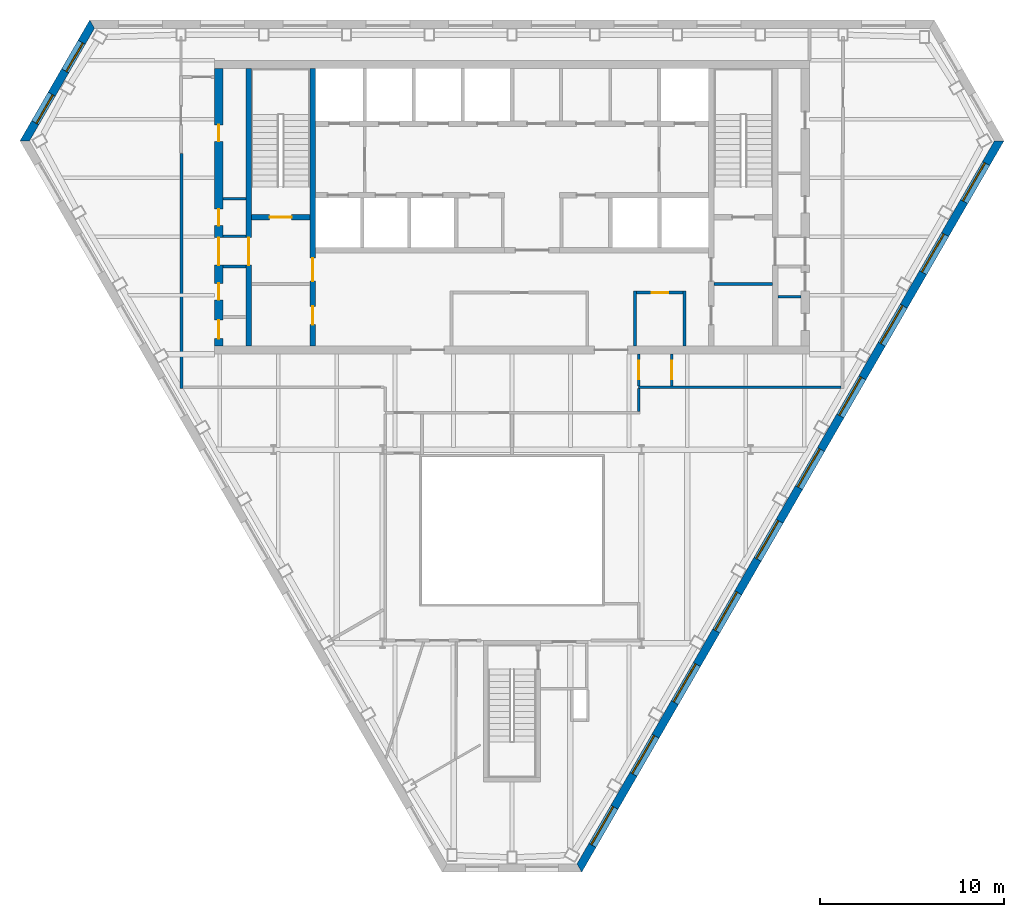
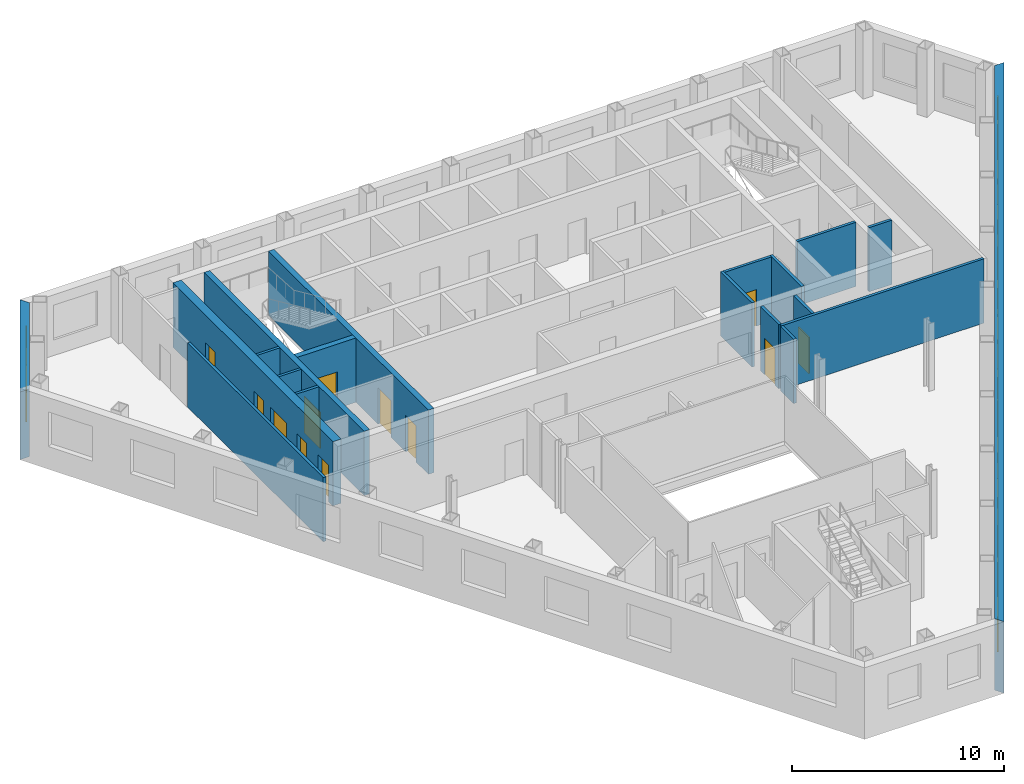
# One storey, part 5 of 10: 19 walls, 12 doors, 12 windows, 24 openings.
"""IFC4 building model written with IfcOpenShell, lengths in metres."""

from ifc_helpers import new_model, si_unit, direction, frame, frame_2d, origin, place, context, subcontext, project, spatial, polyline, rectangle, outline, extrude, material, layer, layer_set, type_object, element, fill, save


model = new_model("IFC4")

# Units and contexts
model_context = context("Model", 3, precision=1e-05, world=origin(), true_north=direction((0.0, 1.0)))
body_context = subcontext(model_context, "Body", "Model", "MODEL_VIEW")
ifc_project = project(units=[si_unit("LENGTHUNIT", "METRE"), si_unit("AREAUNIT", "SQUARE_METRE"), si_unit("VOLUMEUNIT", "CUBIC_METRE"), si_unit("PLANEANGLEUNIT", "RADIAN"), si_unit("MASSUNIT", "GRAM", prefix="KILO")], contexts=[model_context])

# Site, building, storey
site_placement = place(None, origin())
site = spatial("IfcSite", under=ifc_project, at=site_placement, CompositionType="ELEMENT")
building_placement = place(site_placement, origin())
building = spatial("IfcBuilding", under=site, at=building_placement, Name="Njiva Tower", CompositionType="ELEMENT")
storey_placement = place(building_placement, frame((0.0, 0.0, 200.4)))
storey = spatial("IfcBuildingStorey", under=building, at=storey_placement, Name="L44", CompositionType="ELEMENT", Elevation=200.4)

# Walls
ifc_material_1 = material(Name="Blockwork", Category="masonry")
ifc_layer_1 = layer(ifc_material_1, 0.15)
ifc_layer_set_1 = layer_set([ifc_layer_1], Name="Blockwork")
wall_type_1 = type_object("IfcWallType", Name="WT1 Compartment partition 150", PredefinedType="PARTITIONING", material=ifc_layer_set_1)
wall_1_placement = place(storey_placement, frame((11.0, 5.825, 0.0), z_axis=(0.0, 0.0, 1.0), x_axis=(1.0, 0.0, 0.0)))
element("IfcWall", 1, at=wall_1_placement, inside=storey, type_object=wall_type_1, Name="Room wall B", PredefinedType="PARTITIONING", context=body_context, shape_type="SweptSolid", body=[
    extrude(rectangle(XDim=3.2, YDim=0.15, at=frame_2d((1.6, 0.0))), origin(), (0.0, 0.0, 1.0), 3.7),
])
wall_2_placement = place(storey_placement, frame((14.5, 5.125, 0.0), z_axis=(0.0, 0.0, 1.0), x_axis=(1.0, 0.0, 0.0)))
element("IfcWall", 2, at=wall_2_placement, inside=storey, type_object=wall_type_1, Name="Partition strip E00", PredefinedType="PARTITIONING", context=body_context, shape_type="SweptSolid", body=[
    extrude(rectangle(XDim=1.25, YDim=0.15, at=frame_2d((0.625, 0.0))), origin(), (0.0, 0.0, 1.0), 3.7),
])
for number, where, z_axis, x_axis, name in (
    (3, (6.7, 2.45, 0.0), (0.0, 0.0, 1.0), (0.0, 1.0, 0.0), "Security office wall west"),
    (4, (9.4, 2.45, 0.0), (0.0, 0.0, 1.0), (0.0, 1.0, 0.0), "Security office wall east"),
):
    element("IfcWall", number, at=place(storey_placement, frame(where, z_axis=z_axis, x_axis=x_axis)), inside=storey, type_object=wall_type_1, Name=name, PredefinedType="PARTITIONING", context=body_context, shape_type="SweptSolid", body=[
        extrude(rectangle(XDim=2.975, YDim=0.15, at=frame_2d((1.4875, 0.0))), origin(), (0.0, 0.0, 1.0), 3.7),
    ])

# Wall, opening, door
wall_3_placement = place(storey_placement, frame((6.775, 5.35, 0.0), z_axis=(0.0, 0.0, 1.0), x_axis=(1.0, 0.0, 0.0)))
wall_3 = element("IfcWall", 5, at=wall_3_placement, inside=storey, type_object=wall_type_1, Name="Security office wall north", PredefinedType="PARTITIONING", context=body_context, shape_type="SweptSolid", body=[
    extrude(rectangle(XDim=2.55, YDim=0.15, at=frame_2d((1.275, 0.0))), origin(), (0.0, 0.0, 1.0), 3.7),
])
opening_1_placement = place(wall_3_placement, frame((0.825, 0.0, 0.0)))
opening_1 = element("IfcOpeningElement", 6, at=opening_1_placement, cuts=wall_3, Name="Opening S14-D935", PredefinedType="OPENING", context=body_context, shape_type="SweptSolid", body=[
    extrude(rectangle(XDim=0.9, YDim=2.1, at=frame_2d((0.45, 1.05))), frame((0.0, 0.085, 0.0), z_axis=(0.0, -1.0, 0.0), x_axis=(1.0, 0.0, 0.0)), (0.0, 0.0, 1.0), 0.17),
])
ifc_material_2 = material(Name="Steel fire door, painted", Category="steel")
door_type_1 = type_object("IfcDoorType", Name="D6 Fire-rated door 900x2100", OperationType="SINGLE_SWING_LEFT", PredefinedType="DOOR", material=ifc_material_2)
door_1_placement = place(opening_1_placement, origin())
door_1 = element("IfcDoor", 7, at=door_1_placement, inside=storey, type_object=door_type_1, Name="Security office door", OperationType="SINGLE_SWING_RIGHT", OverallHeight=2.1, OverallWidth=0.9, PredefinedType="DOOR", context=body_context, shape_type="SweptSolid", body=[
    extrude(rectangle(XDim=0.9, YDim=2.1, at=frame_2d((0.45, 1.05))), frame((0.0, 0.025, 0.0), z_axis=(0.0, -1.0, 0.0), x_axis=(1.0, 0.0, 0.0)), (0.0, 0.0, 1.0), 0.05),
])
fill(opening_1, door_1)

# Wall, openings, doors
ifc_material_3 = material(Name="Concrete C40/50", Category="concrete")
ifc_layer_2 = layer(ifc_material_3, 0.3)
ifc_layer_set_2 = layer_set([ifc_layer_2], Name="Concrete C40/50")
wall_type_2 = type_object("IfcWallType", Name="WT10 Stair enclosure wall 300", PredefinedType="SHEAR", material=ifc_layer_set_2)
wall_4_placement = place(storey_placement, frame((-10.85, 2.45, 0.0), z_axis=(0.0, 0.0, 1.0), x_axis=(0.0, 1.0, 0.0)))
wall_4 = element("IfcWall", 8, at=wall_4_placement, inside=storey, type_object=wall_type_2, Name="Stair wall west inner", PredefinedType="SHEAR", context=body_context, shape_type="SweptSolid", body=[
    extrude(rectangle(XDim=15.1, YDim=0.3, at=frame_2d((7.55, 0.0))), origin(), (0.0, 0.0, 1.0), 3.7),
])
opening_2_placement = place(wall_4_placement, frame((3.525, 0.0, 0.0)))
opening_2 = element("IfcOpeningElement", 9, at=opening_2_placement, cuts=wall_4, Name="Opening S14-D916", PredefinedType="OPENING", context=body_context, shape_type="SweptSolid", body=[
    extrude(rectangle(XDim=1.25, YDim=2.1, at=frame_2d((0.625, 1.05))), frame((0.0, 0.16, 0.0), z_axis=(0.0, -1.0, 0.0), x_axis=(1.0, 0.0, 0.0)), (0.0, 0.0, 1.0), 0.32),
])
opening_3_placement = place(wall_4_placement, frame((1.15, 0.0, 0.0)))
opening_3 = element("IfcOpeningElement", 10, at=opening_3_placement, cuts=wall_4, Name="Opening S14-D917", PredefinedType="OPENING", context=body_context, shape_type="SweptSolid", body=[
    extrude(rectangle(XDim=1.0, YDim=2.1, at=frame_2d((0.5, 1.05))), frame((0.0, 0.16, 0.0), z_axis=(0.0, -1.0, 0.0), x_axis=(1.0, 0.0, 0.0)), (0.0, 0.0, 1.0), 0.32),
])
ifc_material_4 = material(Name="Steel door, painted", Category="steel")
door_type_2 = type_object("IfcDoorType", Name="D5 Steel door 1000x2100", OperationType="SINGLE_SWING_LEFT", PredefinedType="DOOR", material=ifc_material_4)
door_2_placement = place(opening_3_placement, origin())
door_2 = element("IfcDoor", 11, at=door_2_placement, inside=storey, type_object=door_type_2, Name="Quiet room door", OperationType="SINGLE_SWING_RIGHT", OverallHeight=2.1, OverallWidth=1.0, PredefinedType="DOOR", context=body_context, shape_type="SweptSolid", body=[
    extrude(rectangle(XDim=1.0, YDim=2.1, at=frame_2d((0.5, 1.05))), frame((0.0, 0.025, 0.0), z_axis=(0.0, -1.0, 0.0), x_axis=(1.0, 0.0, 0.0)), (0.0, 0.0, 1.0), 0.05),
])
fill(opening_3, door_2)
ifc_material_5 = material(Name="Glazed steel fire door", Category="steel")
door_type_3 = type_object("IfcDoorType", Name="D8 Vestibule corridor door 1250x2100 glazed", OperationType="SINGLE_SWING_LEFT", PredefinedType="DOOR", material=ifc_material_5)
door_3_placement = place(opening_2_placement, origin())
door_3 = element("IfcDoor", 12, at=door_3_placement, inside=storey, type_object=door_type_3, Name="Stair vestibule corridor door", OperationType="SINGLE_SWING_LEFT", OverallHeight=2.1, OverallWidth=1.25, PredefinedType="DOOR", context=body_context, shape_type="SweptSolid", body=[
    extrude(rectangle(XDim=1.25, YDim=2.1, at=frame_2d((0.625, 1.05))), frame((0.0, 0.025, 0.0), z_axis=(0.0, -1.0, 0.0), x_axis=(1.0, 0.0, 0.0)), (0.0, 0.0, 1.0), 0.05),
])
fill(opening_2, door_3)

# Wall, opening, door
wall_5_placement = place(storey_placement, frame((-14.35, 2.45, 0.0), z_axis=(0.0, 0.0, 1.0), x_axis=(0.0, 1.0, 0.0)))
wall_5 = element("IfcWall", 13, at=wall_5_placement, inside=storey, type_object=wall_type_2, Name="Stair wall west outer", PredefinedType="SHEAR", context=body_context, shape_type="SweptSolid", body=[
    extrude(rectangle(XDim=15.1, YDim=0.3, at=frame_2d((7.55, 0.0))), origin(), (0.0, 0.0, 1.0), 3.7),
])
opening_4_placement = place(wall_5_placement, frame((4.4, 0.0, 0.0)))
opening_4 = element("IfcOpeningElement", 14, at=opening_4_placement, cuts=wall_5, Name="Opening S14-D922", PredefinedType="OPENING", context=body_context, shape_type="SweptSolid", body=[
    extrude(rectangle(XDim=1.5, YDim=2.1, at=frame_2d((0.75, 1.05))), frame((0.0, 0.16, 0.0), z_axis=(0.0, -1.0, 0.0), x_axis=(1.0, 0.0, 0.0)), (0.0, 0.0, 1.0), 0.32),
])
door_type_4 = type_object("IfcDoorType", Name="D10 Exit door double 1500x2100 glazed", OperationType="DOUBLE_DOOR_SINGLE_SWING", PredefinedType="DOOR", material=ifc_material_5)
door_4_placement = place(opening_4_placement, origin())
door_4 = element("IfcDoor", 15, at=door_4_placement, inside=storey, type_object=door_type_4, Name="Stair A passage door", OperationType="DOUBLE_DOOR_SINGLE_SWING", OverallHeight=2.1, OverallWidth=1.5, PredefinedType="DOOR", context=body_context, shape_type="SweptSolid", body=[
    extrude(rectangle(XDim=1.5, YDim=2.1, at=frame_2d((0.75, 1.05))), frame((0.0, 0.025, 0.0), z_axis=(0.0, -1.0, 0.0), x_axis=(1.0, 0.0, 0.0)), (0.0, 0.0, 1.0), 0.05),
])
fill(opening_4, door_4)

wall_6_placement = place(storey_placement, frame((-14.2, 9.45, 0.0), z_axis=(0.0, 0.0, 1.0), x_axis=(1.0, 0.0, 0.0)))
wall_6 = element("IfcWall", 16, at=wall_6_placement, inside=storey, type_object=wall_type_2, Name="Stair A south wall", PredefinedType="SHEAR", context=body_context, shape_type="SweptSolid", body=[
    extrude(rectangle(XDim=3.2, YDim=0.3, at=frame_2d((1.6, 0.0))), origin(), (0.0, 0.0, 1.0), 3.7),
])
opening_5_placement = place(wall_6_placement, frame((1.0, 0.0, 0.0)))
opening_5 = element("IfcOpeningElement", 17, at=opening_5_placement, cuts=wall_6, Name="Opening S14-D915", PredefinedType="OPENING", context=body_context, shape_type="SweptSolid", body=[
    extrude(rectangle(XDim=1.2, YDim=2.1, at=frame_2d((0.6, 1.05))), frame((0.0, 0.16, 0.0), z_axis=(0.0, -1.0, 0.0), x_axis=(1.0, 0.0, 0.0)), (0.0, 0.0, 1.0), 0.32),
])
door_type_5 = type_object("IfcDoorType", Name="D7 Stair vestibule door 1200x2100 glazed", OperationType="SINGLE_SWING_LEFT", PredefinedType="DOOR", material=ifc_material_5)
door_5_placement = place(opening_5_placement, origin())
door_5 = element("IfcDoor", 18, at=door_5_placement, inside=storey, type_object=door_type_5, Name="Stair A door", OperationType="SINGLE_SWING_LEFT", OverallHeight=2.1, OverallWidth=1.2, PredefinedType="DOOR", context=body_context, shape_type="SweptSolid", body=[
    extrude(rectangle(XDim=1.2, YDim=2.1, at=frame_2d((0.6, 1.05))), frame((0.0, 0.025, 0.0), z_axis=(0.0, -1.0, 0.0), x_axis=(1.0, 0.0, 0.0)), (0.0, 0.0, 1.0), 0.05),
])
fill(opening_5, door_5)

# Wall, openings, doors
ifc_material_6 = material(Name="Concrete C60/75", Category="concrete")
ifc_layer_3 = layer(ifc_material_6, 0.45)
ifc_layer_set_3 = layer_set([ifc_layer_3], Name="Concrete C60/75")
wall_type_3 = type_object("IfcWallType", Name="WT12 Core wall 450", PredefinedType="SHEAR", material=ifc_layer_set_3)
wall_7_placement = place(storey_placement, frame((-15.975, 2.45, 0.0), z_axis=(0.0, 0.0, 1.0), x_axis=(0.0, 1.0, 0.0)))
wall_7 = element("IfcWall", 19, at=wall_7_placement, inside=storey, type_object=wall_type_3, Name="Core wall west", PredefinedType="SHEAR", context=body_context, shape_type="SweptSolid", body=[
    extrude(rectangle(XDim=15.1, YDim=0.45, at=frame_2d((7.55, 0.0))), origin(), (0.0, 0.0, 1.0), 3.7),
])
opening_6_placement = place(wall_7_placement, frame((4.4, 0.0, 0.0)))
opening_6 = element("IfcOpeningElement", 20, at=opening_6_placement, cuts=wall_7, Name="Opening S14-D923", PredefinedType="OPENING", context=body_context, shape_type="SweptSolid", body=[
    extrude(rectangle(XDim=1.5, YDim=2.1, at=frame_2d((0.75, 1.05))), frame((0.0, 0.235, 0.0), z_axis=(0.0, -1.0, 0.0), x_axis=(1.0, 0.0, 0.0)), (0.0, 0.0, 1.0), 0.47),
])
opening_7_placement = place(wall_7_placement, frame((0.4, 0.0, 0.0)))
opening_7 = element("IfcOpeningElement", 21, at=opening_7_placement, cuts=wall_7, Name="Opening S14-D924", PredefinedType="OPENING", context=body_context, shape_type="SweptSolid", body=[
    extrude(rectangle(XDim=1.0, YDim=2.1, at=frame_2d((0.5, 1.05))), frame((0.0, 0.235, 0.0), z_axis=(0.0, -1.0, 0.0), x_axis=(1.0, 0.0, 0.0)), (0.0, 0.0, 1.0), 0.47),
])
opening_8_placement = place(wall_7_placement, frame((2.5, 0.0, 0.0)))
opening_8 = element("IfcOpeningElement", 22, at=opening_8_placement, cuts=wall_7, Name="Opening S14-D925", PredefinedType="OPENING", context=body_context, shape_type="SweptSolid", body=[
    extrude(rectangle(XDim=0.9, YDim=2.1, at=frame_2d((0.45, 1.05))), frame((0.0, 0.235, 0.0), z_axis=(0.0, -1.0, 0.0), x_axis=(1.0, 0.0, 0.0)), (0.0, 0.0, 1.0), 0.47),
])
opening_9_placement = place(wall_7_placement, frame((6.5439, 0.0, 0.0)))
opening_9 = element("IfcOpeningElement", 23, at=opening_9_placement, cuts=wall_7, Name="Opening S14-D926", PredefinedType="OPENING", context=body_context, shape_type="SweptSolid", body=[
    extrude(rectangle(XDim=0.9, YDim=2.1, at=frame_2d((0.45, 1.05))), frame((0.0, 0.235, 0.0), z_axis=(0.0, -1.0, 0.0), x_axis=(1.0, 0.0, 0.0)), (0.0, 0.0, 1.0), 0.47),
])
opening_10_placement = place(wall_7_placement, frame((11.1439, 0.0, 0.0)))
opening_10 = element("IfcOpeningElement", 24, at=opening_10_placement, cuts=wall_7, Name="Opening S14-D927", PredefinedType="OPENING", context=body_context, shape_type="SweptSolid", body=[
    extrude(rectangle(XDim=0.9, YDim=2.1, at=frame_2d((0.45, 1.05))), frame((0.0, 0.235, 0.0), z_axis=(0.0, -1.0, 0.0), x_axis=(1.0, 0.0, 0.0)), (0.0, 0.0, 1.0), 0.47),
])
door_6_placement = place(opening_6_placement, origin())
door_6 = element("IfcDoor", 25, at=door_6_placement, inside=storey, type_object=door_type_4, Name="Stair A corridor door", OperationType="DOUBLE_DOOR_SINGLE_SWING", OverallHeight=2.1, OverallWidth=1.5, PredefinedType="DOOR", context=body_context, shape_type="SweptSolid", body=[
    extrude(rectangle(XDim=1.5, YDim=2.1, at=frame_2d((0.75, 1.05))), frame((0.0, 0.025, 0.0), z_axis=(0.0, -1.0, 0.0), x_axis=(1.0, 0.0, 0.0)), (0.0, 0.0, 1.0), 0.05),
])
fill(opening_6, door_6)
door_type_6 = type_object("IfcDoorType", Name="D4 Riser door 900x2100", OperationType="SINGLE_SWING_LEFT", PredefinedType="DOOR", material=ifc_material_4)
door_7_placement = place(opening_9_placement, origin())
door_7 = element("IfcDoor", 26, at=door_7_placement, inside=storey, type_object=door_type_6, Name="Cable riser door", OperationType="SINGLE_SWING_RIGHT", OverallHeight=2.1, OverallWidth=0.9, PredefinedType="DOOR", context=body_context, shape_type="SweptSolid", body=[
    extrude(rectangle(XDim=0.9, YDim=2.1, at=frame_2d((0.45, 1.05))), frame((0.0, 0.025, 0.0), z_axis=(0.0, -1.0, 0.0), x_axis=(1.0, 0.0, 0.0)), (0.0, 0.0, 1.0), 0.05),
])
fill(opening_9, door_7)
door_8_placement = place(opening_7_placement, origin())
door_8 = element("IfcDoor", 27, at=door_8_placement, inside=storey, type_object=door_type_2, Name="Electrical room door", OperationType="SINGLE_SWING_RIGHT", OverallHeight=2.1, OverallWidth=1.0, PredefinedType="DOOR", context=body_context, shape_type="SweptSolid", body=[
    extrude(rectangle(XDim=1.0, YDim=2.1, at=frame_2d((0.5, 1.05))), frame((0.0, 0.025, 0.0), z_axis=(0.0, -1.0, 0.0), x_axis=(1.0, 0.0, 0.0)), (0.0, 0.0, 1.0), 0.05),
])
fill(opening_7, door_8)
door_9_placement = place(opening_8_placement, origin())
door_9 = element("IfcDoor", 28, at=door_9_placement, inside=storey, type_object=door_type_1, Name="Cable store door", OperationType="SINGLE_SWING_RIGHT", OverallHeight=2.1, OverallWidth=0.9, PredefinedType="DOOR", context=body_context, shape_type="SweptSolid", body=[
    extrude(rectangle(XDim=0.9, YDim=2.1, at=frame_2d((0.45, 1.05))), frame((0.0, 0.025, 0.0), z_axis=(0.0, -1.0, 0.0), x_axis=(1.0, 0.0, 0.0)), (0.0, 0.0, 1.0), 0.05),
])
fill(opening_8, door_9)
door_10_placement = place(opening_10_placement, origin())
door_10 = element("IfcDoor", 29, at=door_10_placement, inside=storey, type_object=door_type_1, Name="Cable store door", OperationType="SINGLE_SWING_LEFT", OverallHeight=2.1, OverallWidth=0.9, PredefinedType="DOOR", context=body_context, shape_type="SweptSolid", body=[
    extrude(rectangle(XDim=0.9, YDim=2.1, at=frame_2d((0.45, 1.05))), frame((0.0, 0.025, 0.0), z_axis=(0.0, -1.0, 0.0), x_axis=(1.0, 0.0, 0.0)), (0.0, 0.0, 1.0), 0.05),
])
fill(opening_10, door_10)

# Walls
ifc_material_7 = material(Name="Gypsum board on steel studs", Category="gypsum")
ifc_layer_4 = layer(ifc_material_7, 0.15)
ifc_layer_set_4 = layer_set([ifc_layer_4], Name="Gypsum board on steel studs")
wall_type_4 = type_object("IfcWallType", Name="WT21 Compartment wall 150", PredefinedType="PARTITIONING", material=ifc_layer_set_4)
wall_8_placement = place(storey_placement, frame((-18.0, 0.125, 0.0), z_axis=(0.0, 0.0, 1.0), x_axis=(0.0, 1.0, 0.0)))
element("IfcWall", 30, at=wall_8_placement, inside=storey, type_object=wall_type_4, Name="Partition S14-P003", PredefinedType="PARTITIONING", context=body_context, shape_type="SweptSolid", body=[
    extrude(rectangle(XDim=12.8, YDim=0.15, at=frame_2d((6.4, 0.0))), origin(), (0.0, 0.0, 1.0), 3.7),
])
wall_9_placement = place(storey_placement, frame((6.9, -1.125, 0.0), z_axis=(0.0, 0.0, 1.0), x_axis=(0.0, 1.0, 0.0)))
element("IfcWall", 31, at=wall_9_placement, inside=storey, type_object=wall_type_4, Name="Partition S14-P021", PredefinedType="PARTITIONING", context=body_context, shape_type="SweptSolid", body=[
    extrude(rectangle(XDim=1.25, YDim=0.15, at=frame_2d((0.625, 0.0))), origin(), (0.0, 0.0, 1.0), 3.7),
])
wall_10_placement = place(storey_placement, frame((6.9, 0.2, 0.0), z_axis=(0.0, 0.0, 1.0), x_axis=(1.0, 0.0, 0.0)))
element("IfcWall", 32, at=wall_10_placement, inside=storey, type_object=wall_type_4, Name="Partition S14-P022", PredefinedType="PARTITIONING", context=body_context, shape_type="SweptSolid", body=[
    extrude(rectangle(XDim=11.025, YDim=0.15, at=frame_2d((5.5125, 0.0))), origin(), (0.0, 0.0, 1.0), 3.7),
])

# Wall, opening, door
wall_11_placement = place(storey_placement, frame((6.9, 0.275, 0.0), z_axis=(0.0, 0.0, 1.0), x_axis=(0.0, 1.0, 0.0)))
wall_11 = element("IfcWall", 33, at=wall_11_placement, inside=storey, type_object=wall_type_4, Name="Partition S14-P023", PredefinedType="PARTITIONING", context=body_context, shape_type="SweptSolid", body=[
    extrude(rectangle(XDim=1.725, YDim=0.15, at=frame_2d((0.8625, 0.0))), origin(), (0.0, 0.0, 1.0), 3.7),
])
opening_11_placement = place(wall_11_placement, frame((0.362, 0.0, 0.0)))
opening_11 = element("IfcOpeningElement", 34, at=opening_11_placement, cuts=wall_11, Name="Opening S14-D010", PredefinedType="OPENING", context=body_context, shape_type="SweptSolid", body=[
    extrude(rectangle(XDim=1.0, YDim=2.1, at=frame_2d((0.5, 1.05))), frame((0.0, 0.085, 0.0), z_axis=(0.0, -1.0, 0.0), x_axis=(1.0, 0.0, 0.0)), (0.0, 0.0, 1.0), 0.17),
])
ifc_material_8 = material(Name="Steel fire door set", Category="steel")
door_type_7 = type_object("IfcDoorType", Name="D37 Fire door 1000x2100", OperationType="SINGLE_SWING_LEFT", PredefinedType="DOOR", material=ifc_material_8)
door_11_placement = place(opening_11_placement, origin())
door_11 = element("IfcDoor", 35, at=door_11_placement, inside=storey, type_object=door_type_7, Name="Door S14-D010", OperationType="SINGLE_SWING_LEFT", OverallHeight=2.1, OverallWidth=1.0, PredefinedType="DOOR", context=body_context, shape_type="SweptSolid", body=[
    extrude(rectangle(XDim=1.0, YDim=2.1, at=frame_2d((0.5, 1.05))), frame((0.0, 0.025, 0.0), z_axis=(0.0, -1.0, 0.0), x_axis=(1.0, 0.0, 0.0)), (0.0, 0.0, 1.0), 0.05),
])
fill(opening_11, door_11)

wall_12_placement = place(storey_placement, frame((8.7, 0.275, 0.0), z_axis=(0.0, 0.0, 1.0), x_axis=(0.0, 1.0, 0.0)))
wall_12 = element("IfcWall", 36, at=wall_12_placement, inside=storey, type_object=wall_type_4, Name="Partition S14-P024", PredefinedType="PARTITIONING", context=body_context, shape_type="SweptSolid", body=[
    extrude(rectangle(XDim=1.725, YDim=0.15, at=frame_2d((0.8625, 0.0))), origin(), (0.0, 0.0, 1.0), 3.7),
])
opening_12_placement = place(wall_12_placement, frame((0.363, 0.0, 0.0)))
opening_12 = element("IfcOpeningElement", 37, at=opening_12_placement, cuts=wall_12, Name="Opening S14-D011", PredefinedType="OPENING", context=body_context, shape_type="SweptSolid", body=[
    extrude(rectangle(XDim=1.0, YDim=2.1, at=frame_2d((0.5, 1.05))), frame((0.0, 0.085, 0.0), z_axis=(0.0, -1.0, 0.0), x_axis=(1.0, 0.0, 0.0)), (0.0, 0.0, 1.0), 0.17),
])
door_12_placement = place(opening_12_placement, origin())
door_12 = element("IfcDoor", 38, at=door_12_placement, inside=storey, type_object=door_type_7, Name="Door S14-D011", OperationType="SINGLE_SWING_RIGHT", OverallHeight=2.1, OverallWidth=1.0, PredefinedType="DOOR", context=body_context, shape_type="SweptSolid", body=[
    extrude(rectangle(XDim=1.0, YDim=2.1, at=frame_2d((0.5, 1.05))), frame((0.0, 0.025, 0.0), z_axis=(0.0, -1.0, 0.0), x_axis=(1.0, 0.0, 0.0)), (0.0, 0.0, 1.0), 0.05),
])
fill(opening_12, door_12)

# Walls
ifc_layer_5 = layer(ifc_material_1, 0.15)
ifc_layer_set_5 = layer_set([ifc_layer_5], Name="Blockwork")
wall_type_5 = type_object("IfcWallType", Name="WT3 Riser partition 150", PredefinedType="PARTITIONING", material=ifc_layer_set_5)
wall_13_placement = place(storey_placement, frame((-15.75, 10.4629, 0.0), z_axis=(0.0, 0.0, 1.0), x_axis=(1.0, 0.0, 0.0)))
element("IfcWall", 39, at=wall_13_placement, inside=storey, type_object=wall_type_5, Name="Partition strip W10", PredefinedType="PARTITIONING", context=body_context, shape_type="SweptSolid", body=[
    extrude(rectangle(XDim=1.25, YDim=0.15, at=frame_2d((0.625, 0.0))), origin(), (0.0, 0.0, 1.0), 3.7),
])
ifc_layer_6 = layer(ifc_material_1, 0.15)
ifc_layer_set_6 = layer_set([ifc_layer_6], Name="Blockwork")
wall_type_6 = type_object("IfcWallType", Name="WT4 Stair partition 150", PredefinedType="PARTITIONING", material=ifc_layer_set_6)
for number, where, z_axis, x_axis, name in (
    (40, (-15.75, 6.775, 0.0), (0.0, 0.0, 1.0), (1.0, 0.0, 0.0), "Stair A exit passage wall south"),
    (41, (-15.75, 8.425, 0.0), (0.0, 0.0, 1.0), (1.0, 0.0, 0.0), "Stair A exit passage wall north"),
):
    element("IfcWall", number, at=place(storey_placement, frame(where, z_axis=z_axis, x_axis=x_axis)), inside=storey, type_object=wall_type_6, Name=name, PredefinedType="PARTITIONING", context=body_context, shape_type="SweptSolid", body=[
        extrude(rectangle(XDim=1.25, YDim=0.15, at=frame_2d((0.625, 0.0))), origin(), (0.0, 0.0, 1.0), 3.7),
    ])

# Wall, openings, windows
ifc_material_9 = material(Name="Brick masonry", Category="masonry")
ifc_layer_7 = layer(ifc_material_9, 0.45)
ifc_layer_set_7 = layer_set([ifc_layer_7], Name="Brick masonry")
wall_type_7 = type_object("IfcWallType", Name="WT90 Brick pier and spandrel wall 450", PredefinedType="SOLIDWALL", material=ifc_layer_set_7)
wall_14_placement = place(storey_placement, frame((3.6701, -25.994, -0.4), z_axis=(0.0, 0.0, 1.0), x_axis=(0.499999764979, 0.866025539474, 0.0)))
wall_14 = element("IfcWall", 42, at=wall_14_placement, inside=storey, type_object=wall_type_7, Name="Facade wall SE", PredefinedType="SOLIDWALL", context=body_context, shape_type="SweptSolid", body=[
    extrude(outline(polyline([(-0.1299, -0.225), (45.8701, -0.225), (45.6103, 0.225), (0.1299, 0.225), (-0.1299, -0.225)])), origin(), (0.0, 0.0, 1.0), 4.12),
])
opening_13_placement = place(wall_14_placement, frame((1.4242, 0.0, 1.3)))
opening_13 = element("IfcOpeningElement", 43, at=opening_13_placement, cuts=wall_14, Name="Opening S14-W23", PredefinedType="OPENING", context=body_context, shape_type="SweptSolid", body=[
    extrude(rectangle(XDim=2.4, YDim=2.0, at=frame_2d((1.2, 1.0))), frame((0.0, 0.235, 0.0), z_axis=(0.0, -1.0, 0.0), x_axis=(1.0, 0.0, 0.0)), (0.0, 0.0, 1.0), 0.47),
])
opening_14_placement = place(wall_14_placement, frame((5.8934, 0.0, 1.3)))
opening_14 = element("IfcOpeningElement", 44, at=opening_14_placement, cuts=wall_14, Name="Opening S14-W24", PredefinedType="OPENING", context=body_context, shape_type="SweptSolid", body=[
    extrude(rectangle(XDim=2.4, YDim=2.0, at=frame_2d((1.2, 1.0))), frame((0.0, 0.235, 0.0), z_axis=(0.0, -1.0, 0.0), x_axis=(1.0, 0.0, 0.0)), (0.0, 0.0, 1.0), 0.47),
])
opening_15_placement = place(wall_14_placement, frame((10.401, 0.0, 1.3)))
opening_15 = element("IfcOpeningElement", 45, at=opening_15_placement, cuts=wall_14, Name="Opening S14-W25", PredefinedType="OPENING", context=body_context, shape_type="SweptSolid", body=[
    extrude(rectangle(XDim=2.4, YDim=2.0, at=frame_2d((1.2, 1.0))), frame((0.0, 0.235, 0.0), z_axis=(0.0, -1.0, 0.0), x_axis=(1.0, 0.0, 0.0)), (0.0, 0.0, 1.0), 0.47),
])
opening_16_placement = place(wall_14_placement, frame((14.9087, 0.0, 1.3)))
opening_16 = element("IfcOpeningElement", 46, at=opening_16_placement, cuts=wall_14, Name="Opening S14-W26", PredefinedType="OPENING", context=body_context, shape_type="SweptSolid", body=[
    extrude(rectangle(XDim=2.4, YDim=2.0, at=frame_2d((1.2, 1.0))), frame((0.0, 0.235, 0.0), z_axis=(0.0, -1.0, 0.0), x_axis=(1.0, 0.0, 0.0)), (0.0, 0.0, 1.0), 0.47),
])
opening_17_placement = place(wall_14_placement, frame((19.4163, 0.0, 1.3)))
opening_17 = element("IfcOpeningElement", 47, at=opening_17_placement, cuts=wall_14, Name="Opening S14-W27", PredefinedType="OPENING", context=body_context, shape_type="SweptSolid", body=[
    extrude(rectangle(XDim=2.4, YDim=2.0, at=frame_2d((1.2, 1.0))), frame((0.0, 0.235, 0.0), z_axis=(0.0, -1.0, 0.0), x_axis=(1.0, 0.0, 0.0)), (0.0, 0.0, 1.0), 0.47),
])
opening_18_placement = place(wall_14_placement, frame((23.9239, 0.0, 1.3)))
opening_18 = element("IfcOpeningElement", 48, at=opening_18_placement, cuts=wall_14, Name="Opening S14-W28", PredefinedType="OPENING", context=body_context, shape_type="SweptSolid", body=[
    extrude(rectangle(XDim=2.4, YDim=2.0, at=frame_2d((1.2, 1.0))), frame((0.0, 0.235, 0.0), z_axis=(0.0, -1.0, 0.0), x_axis=(1.0, 0.0, 0.0)), (0.0, 0.0, 1.0), 0.47),
])
opening_19_placement = place(wall_14_placement, frame((28.4315, 0.0, 1.3)))
opening_19 = element("IfcOpeningElement", 49, at=opening_19_placement, cuts=wall_14, Name="Opening S14-W29", PredefinedType="OPENING", context=body_context, shape_type="SweptSolid", body=[
    extrude(rectangle(XDim=2.4, YDim=2.0, at=frame_2d((1.2, 1.0))), frame((0.0, 0.235, 0.0), z_axis=(0.0, -1.0, 0.0), x_axis=(1.0, 0.0, 0.0)), (0.0, 0.0, 1.0), 0.47),
])
opening_20_placement = place(wall_14_placement, frame((32.9391, 0.0, 1.3)))
opening_20 = element("IfcOpeningElement", 50, at=opening_20_placement, cuts=wall_14, Name="Opening S14-W30", PredefinedType="OPENING", context=body_context, shape_type="SweptSolid", body=[
    extrude(rectangle(XDim=2.4, YDim=2.0, at=frame_2d((1.2, 1.0))), frame((0.0, 0.235, 0.0), z_axis=(0.0, -1.0, 0.0), x_axis=(1.0, 0.0, 0.0)), (0.0, 0.0, 1.0), 0.47),
])
opening_21_placement = place(wall_14_placement, frame((37.4468, 0.0, 1.3)))
opening_21 = element("IfcOpeningElement", 51, at=opening_21_placement, cuts=wall_14, Name="Opening S14-W31", PredefinedType="OPENING", context=body_context, shape_type="SweptSolid", body=[
    extrude(rectangle(XDim=2.4, YDim=2.0, at=frame_2d((1.2, 1.0))), frame((0.0, 0.235, 0.0), z_axis=(0.0, -1.0, 0.0), x_axis=(1.0, 0.0, 0.0)), (0.0, 0.0, 1.0), 0.47),
])
opening_22_placement = place(wall_14_placement, frame((41.916, 0.0, 1.3)))
opening_22 = element("IfcOpeningElement", 52, at=opening_22_placement, cuts=wall_14, Name="Opening S14-W32", PredefinedType="OPENING", context=body_context, shape_type="SweptSolid", body=[
    extrude(rectangle(XDim=2.4, YDim=2.0, at=frame_2d((1.2, 1.0))), frame((0.0, 0.235, 0.0), z_axis=(0.0, -1.0, 0.0), x_axis=(1.0, 0.0, 0.0)), (0.0, 0.0, 1.0), 0.47),
])
ifc_material_10 = material(Name="Clear glazing in aluminium frame", Category="aluminium")
window_type_1 = type_object("IfcWindowType", Name="W90 Deep-set window 2400x2000", PartitioningType="SINGLE_PANEL", PredefinedType="WINDOW", material=ifc_material_10)
window_1_placement = place(opening_13_placement, origin())
window_1 = element("IfcWindow", 53, at=window_1_placement, inside=storey, type_object=window_type_1, Name="Window", OverallHeight=2.0, OverallWidth=2.4, PartitioningType="SINGLE_PANEL", PredefinedType="WINDOW", context=body_context, shape_type="SweptSolid", body=[
    extrude(rectangle(XDim=2.4, YDim=2.0, at=frame_2d((1.2, 1.0))), frame((0.0, 0.105, 0.0), z_axis=(0.0, -1.0, 0.0), x_axis=(1.0, 0.0, 0.0)), (0.0, 0.0, 1.0), 0.06),
])
fill(opening_13, window_1)
window_2_placement = place(opening_14_placement, origin())
window_2 = element("IfcWindow", 54, at=window_2_placement, inside=storey, type_object=window_type_1, Name="Window", OverallHeight=2.0, OverallWidth=2.4, PartitioningType="SINGLE_PANEL", PredefinedType="WINDOW", context=body_context, shape_type="SweptSolid", body=[
    extrude(rectangle(XDim=2.4, YDim=2.0, at=frame_2d((1.2, 1.0))), frame((0.0, 0.105, 0.0), z_axis=(0.0, -1.0, 0.0), x_axis=(1.0, 0.0, 0.0)), (0.0, 0.0, 1.0), 0.06),
])
fill(opening_14, window_2)
window_3_placement = place(opening_15_placement, origin())
window_3 = element("IfcWindow", 55, at=window_3_placement, inside=storey, type_object=window_type_1, Name="Window", OverallHeight=2.0, OverallWidth=2.4, PartitioningType="SINGLE_PANEL", PredefinedType="WINDOW", context=body_context, shape_type="SweptSolid", body=[
    extrude(rectangle(XDim=2.4, YDim=2.0, at=frame_2d((1.2, 1.0))), frame((0.0, 0.105, 0.0), z_axis=(0.0, -1.0, 0.0), x_axis=(1.0, 0.0, 0.0)), (0.0, 0.0, 1.0), 0.06),
])
fill(opening_15, window_3)
window_4_placement = place(opening_16_placement, origin())
window_4 = element("IfcWindow", 56, at=window_4_placement, inside=storey, type_object=window_type_1, Name="Window", OverallHeight=2.0, OverallWidth=2.4, PartitioningType="SINGLE_PANEL", PredefinedType="WINDOW", context=body_context, shape_type="SweptSolid", body=[
    extrude(rectangle(XDim=2.4, YDim=2.0, at=frame_2d((1.2, 1.0))), frame((0.0, 0.105, 0.0), z_axis=(0.0, -1.0, 0.0), x_axis=(1.0, 0.0, 0.0)), (0.0, 0.0, 1.0), 0.06),
])
fill(opening_16, window_4)
window_5_placement = place(opening_17_placement, origin())
window_5 = element("IfcWindow", 57, at=window_5_placement, inside=storey, type_object=window_type_1, Name="Window", OverallHeight=2.0, OverallWidth=2.4, PartitioningType="SINGLE_PANEL", PredefinedType="WINDOW", context=body_context, shape_type="SweptSolid", body=[
    extrude(rectangle(XDim=2.4, YDim=2.0, at=frame_2d((1.2, 1.0))), frame((0.0, 0.105, 0.0), z_axis=(0.0, -1.0, 0.0), x_axis=(1.0, 0.0, 0.0)), (0.0, 0.0, 1.0), 0.06),
])
fill(opening_17, window_5)
window_6_placement = place(opening_18_placement, origin())
window_6 = element("IfcWindow", 58, at=window_6_placement, inside=storey, type_object=window_type_1, Name="Window", OverallHeight=2.0, OverallWidth=2.4, PartitioningType="SINGLE_PANEL", PredefinedType="WINDOW", context=body_context, shape_type="SweptSolid", body=[
    extrude(rectangle(XDim=2.4, YDim=2.0, at=frame_2d((1.2, 1.0))), frame((0.0, 0.105, 0.0), z_axis=(0.0, -1.0, 0.0), x_axis=(1.0, 0.0, 0.0)), (0.0, 0.0, 1.0), 0.06),
])
fill(opening_18, window_6)
window_7_placement = place(opening_19_placement, origin())
window_7 = element("IfcWindow", 59, at=window_7_placement, inside=storey, type_object=window_type_1, Name="Window", OverallHeight=2.0, OverallWidth=2.4, PartitioningType="SINGLE_PANEL", PredefinedType="WINDOW", context=body_context, shape_type="SweptSolid", body=[
    extrude(rectangle(XDim=2.4, YDim=2.0, at=frame_2d((1.2, 1.0))), frame((0.0, 0.105, 0.0), z_axis=(0.0, -1.0, 0.0), x_axis=(1.0, 0.0, 0.0)), (0.0, 0.0, 1.0), 0.06),
])
fill(opening_19, window_7)
window_8_placement = place(opening_20_placement, origin())
window_8 = element("IfcWindow", 60, at=window_8_placement, inside=storey, type_object=window_type_1, Name="Window", OverallHeight=2.0, OverallWidth=2.4, PartitioningType="SINGLE_PANEL", PredefinedType="WINDOW", context=body_context, shape_type="SweptSolid", body=[
    extrude(rectangle(XDim=2.4, YDim=2.0, at=frame_2d((1.2, 1.0))), frame((0.0, 0.105, 0.0), z_axis=(0.0, -1.0, 0.0), x_axis=(1.0, 0.0, 0.0)), (0.0, 0.0, 1.0), 0.06),
])
fill(opening_20, window_8)
window_9_placement = place(opening_21_placement, origin())
window_9 = element("IfcWindow", 61, at=window_9_placement, inside=storey, type_object=window_type_1, Name="Window", OverallHeight=2.0, OverallWidth=2.4, PartitioningType="SINGLE_PANEL", PredefinedType="WINDOW", context=body_context, shape_type="SweptSolid", body=[
    extrude(rectangle(XDim=2.4, YDim=2.0, at=frame_2d((1.2, 1.0))), frame((0.0, 0.105, 0.0), z_axis=(0.0, -1.0, 0.0), x_axis=(1.0, 0.0, 0.0)), (0.0, 0.0, 1.0), 0.06),
])
fill(opening_21, window_9)
window_10_placement = place(opening_22_placement, origin())
window_10 = element("IfcWindow", 62, at=window_10_placement, inside=storey, type_object=window_type_1, Name="Window", OverallHeight=2.0, OverallWidth=2.4, PartitioningType="SINGLE_PANEL", PredefinedType="WINDOW", context=body_context, shape_type="SweptSolid", body=[
    extrude(rectangle(XDim=2.4, YDim=2.0, at=frame_2d((1.2, 1.0))), frame((0.0, 0.105, 0.0), z_axis=(0.0, -1.0, 0.0), x_axis=(1.0, 0.0, 0.0)), (0.0, 0.0, 1.0), 0.06),
])
fill(opening_22, window_10)

ifc_material_11 = material(Name="Brick masonry, buff", Category="masonry")
ifc_layer_8 = layer(ifc_material_11, 0.45)
ifc_layer_set_8 = layer_set([ifc_layer_8], Name="Brick masonry, buff")
wall_type_8 = type_object("IfcWallType", Name="WT94 Brick pier and spandrel wall 450, buff", PredefinedType="SOLIDWALL", material=ifc_layer_set_8)
wall_15_placement = place(storey_placement, frame((-22.8701, 19.975, -0.4), z_axis=(0.0, 0.0, 1.0), x_axis=(-0.499999980465, -0.866025415063, 0.0)))
wall_15 = element("IfcWall", 63, at=wall_15_placement, inside=storey, type_object=wall_type_8, Name="Facade wall NW", PredefinedType="SOLIDWALL", context=body_context, shape_type="SweptSolid", body=[
    extrude(outline(polyline([(-0.1299, -0.225), (7.4701, -0.225), (7.2103, 0.225), (0.1299, 0.225), (-0.1299, -0.225)])), origin(), (0.0, 0.0, 1.0), 3.9),
])
opening_23_placement = place(wall_15_placement, frame((1.1394, 0.0, 1.3)))
opening_23 = element("IfcOpeningElement", 64, at=opening_23_placement, cuts=wall_15, Name="Opening S14-W10", PredefinedType="OPENING", context=body_context, shape_type="SweptSolid", body=[
    extrude(rectangle(XDim=1.8, YDim=2.0, at=frame_2d((0.9, 1.0))), frame((0.0, 0.235, 0.0), z_axis=(0.0, -1.0, 0.0), x_axis=(1.0, 0.0, 0.0)), (0.0, 0.0, 1.0), 0.47),
])
opening_24_placement = place(wall_15_placement, frame((4.4007, 0.0, 1.3)))
opening_24 = element("IfcOpeningElement", 65, at=opening_24_placement, cuts=wall_15, Name="Opening S14-W11", PredefinedType="OPENING", context=body_context, shape_type="SweptSolid", body=[
    extrude(rectangle(XDim=1.8, YDim=2.0, at=frame_2d((0.9, 1.0))), frame((0.0, 0.235, 0.0), z_axis=(0.0, -1.0, 0.0), x_axis=(1.0, 0.0, 0.0)), (0.0, 0.0, 1.0), 0.47),
])
window_type_2 = type_object("IfcWindowType", Name="W94 Deep-set window 1800x2000", PartitioningType="SINGLE_PANEL", PredefinedType="WINDOW", material=ifc_material_10)
window_11_placement = place(opening_23_placement, origin())
window_11 = element("IfcWindow", 66, at=window_11_placement, inside=storey, type_object=window_type_2, Name="Window", OverallHeight=2.0, OverallWidth=1.8, PartitioningType="SINGLE_PANEL", PredefinedType="WINDOW", context=body_context, shape_type="SweptSolid", body=[
    extrude(rectangle(XDim=1.8, YDim=2.0, at=frame_2d((0.9, 1.0))), frame((0.0, 0.105, 0.0), z_axis=(0.0, -1.0, 0.0), x_axis=(1.0, 0.0, 0.0)), (0.0, 0.0, 1.0), 0.06),
])
fill(opening_23, window_11)
window_12_placement = place(opening_24_placement, origin())
window_12 = element("IfcWindow", 67, at=window_12_placement, inside=storey, type_object=window_type_2, Name="Window", OverallHeight=2.0, OverallWidth=1.8, PartitioningType="SINGLE_PANEL", PredefinedType="WINDOW", context=body_context, shape_type="SweptSolid", body=[
    extrude(rectangle(XDim=1.8, YDim=2.0, at=frame_2d((0.9, 1.0))), frame((0.0, 0.105, 0.0), z_axis=(0.0, -1.0, 0.0), x_axis=(1.0, 0.0, 0.0)), (0.0, 0.0, 1.0), 0.06),
])
fill(opening_24, window_12)

save(model, "model.ifc")
